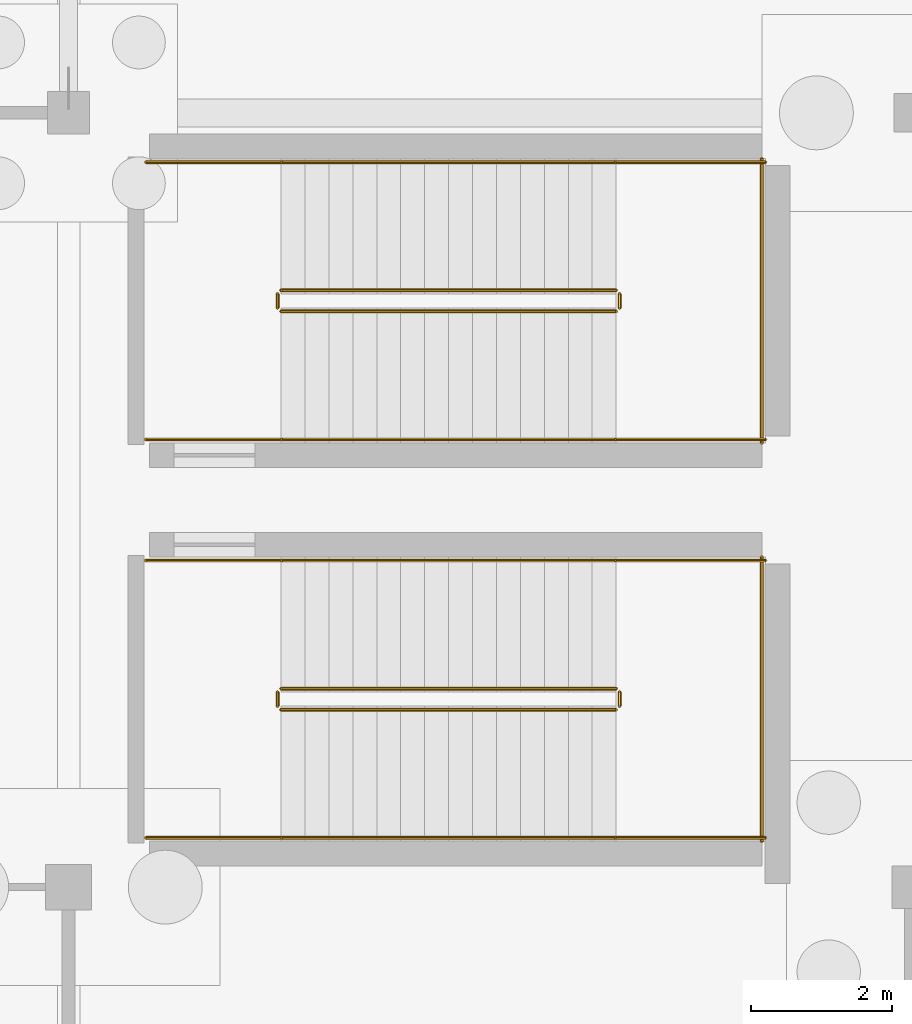
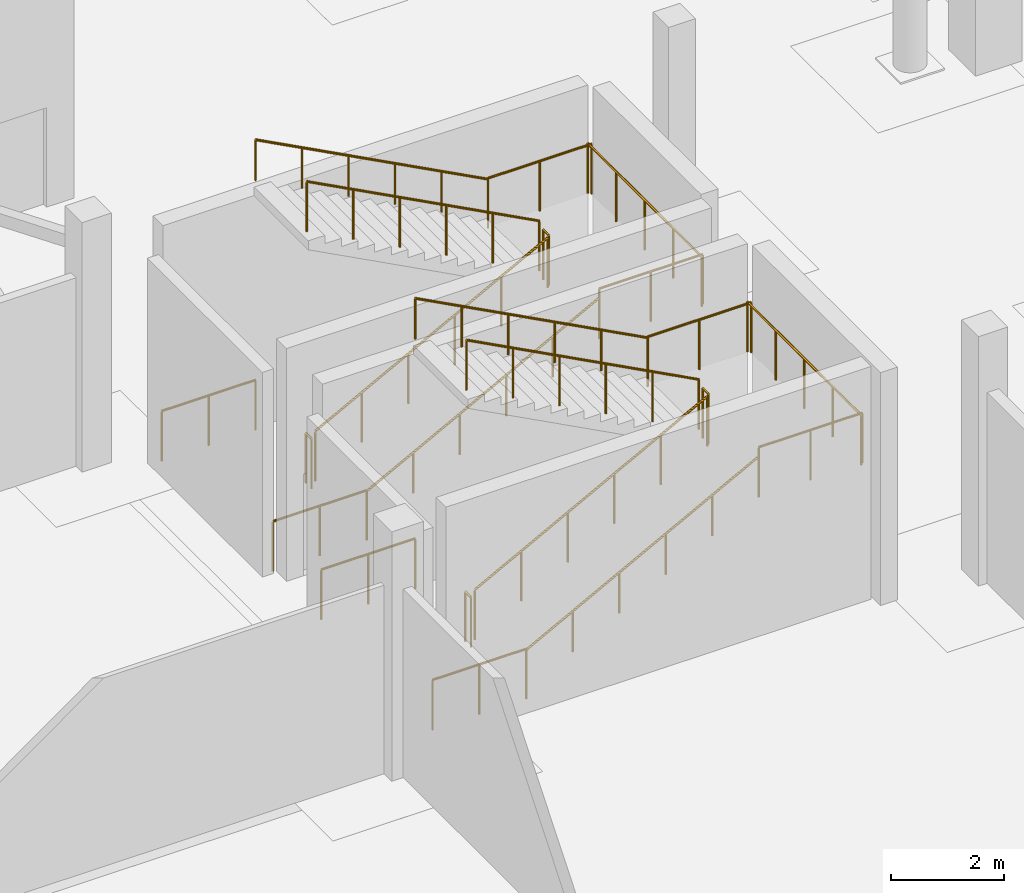
# One storey, part 50 of 60: 22 railings.
"""IFC4 building model written with IfcOpenShell, lengths in metres."""

from ifc_helpers import new_model, si_unit, direction, frame, origin, origin_2d, place, context, subcontext, project, spatial, circle, extrude, material, type_object, element, save


model = new_model("IFC4")

# Units and contexts
model_context = context("Model", 3, precision=1e-05, world=origin(), true_north=direction((0.0, 1.0)))
body_context = subcontext(model_context, "Body", "Model", "MODEL_VIEW")
ifc_project = project(units=[si_unit("LENGTHUNIT", "METRE"), si_unit("AREAUNIT", "SQUARE_METRE"), si_unit("VOLUMEUNIT", "CUBIC_METRE"), si_unit("PLANEANGLEUNIT", "RADIAN"), si_unit("MASSUNIT", "GRAM", prefix="KILO")], contexts=[model_context])

# Site, building, storey
site_placement = place(None, origin())
site = spatial("IfcSite", under=ifc_project, at=site_placement, CompositionType="ELEMENT")
building_placement = place(site_placement, origin())
building = spatial("IfcBuilding", under=site, at=building_placement, Name="Luwafu Chhajja Arena", CompositionType="ELEMENT")
storey_placement = place(building_placement, frame((0.0, 0.0, -5.39990234375)))
storey = spatial("IfcBuildingStorey", under=building, at=storey_placement, Name="B1", CompositionType="ELEMENT", Elevation=-5.39990234375)

# Railings
ifc_material_1 = material(Name="Stainless steel handrail", Category="steel")
railing_type_1 = type_object("IfcRailingType", Name="Stair Pitch Wall Handrail 920", PredefinedType="HANDRAIL", material=ifc_material_1)
railing_1_placement = place(storey_placement, frame((37.02001953125, 44.699951171875, 0.179931640625)))
element("IfcRailing", 1, at=railing_1_placement, inside=storey, type_object=railing_type_1, Name="B1 ST-09 stair handrail 1", PredefinedType="HANDRAIL", context=body_context, shape_type="SweptSolid", body=[
    extrude(circle(Radius=0.02392578125, at=origin_2d()), frame((0.0, 0.0, 0.8759765625), z_axis=(0.883786813738, 0.0, 0.467889803119), x_axis=(0.0, 1.0, 0.0)), (0.0, 0.0, 1.0), 5.385986328125),
    extrude(circle(Radius=0.02099609375, at=origin_2d()), origin(), (0.0, 0.0, 1.0), 0.851806640625),
    extrude(circle(Radius=0.02099609375, at=origin_2d()), frame((0.951904296875, 0.0, 0.50390625)), (0.0, 0.0, 1.0), 0.851806640625),
    extrude(circle(Radius=0.02099609375, at=origin_2d()), frame((1.904052734375, 0.0, 1.008056640625)), (0.0, 0.0, 1.0), 0.851806640625),
    extrude(circle(Radius=0.02099609375, at=origin_2d()), frame((2.85595703125, 0.0, 1.511962890625)), (0.0, 0.0, 1.0), 0.851806640625),
    extrude(circle(Radius=0.02099609375, at=origin_2d()), frame((3.80810546875, 0.0, 2.01611328125)), (0.0, 0.0, 1.0), 0.851806640625),
    extrude(circle(Radius=0.02099609375, at=origin_2d()), frame((4.760009765625, 0.0, 2.52001953125)), (0.0, 0.0, 1.0), 0.851806640625),
])
railing_2_placement = place(storey_placement, frame((41.780029296875, 48.639892578125, 2.8798828125)))
element("IfcRailing", 2, at=railing_2_placement, inside=storey, type_object=railing_type_1, Name="B1 ST-09 stair handrail 2", PredefinedType="HANDRAIL", context=body_context, shape_type="SweptSolid", body=[
    extrude(circle(Radius=0.02392578125, at=origin_2d()), frame((0.0, 0.0, 0.8759765625), z_axis=(-0.883786813738, 0.0, 0.467889803119), x_axis=(0.0, -1.0, 0.0)), (0.0, 0.0, 1.0), 5.385986328125),
    extrude(circle(Radius=0.02099609375, at=origin_2d()), origin(), (0.0, 0.0, 1.0), 0.851806640625),
    extrude(circle(Radius=0.02099609375, at=origin_2d()), frame((-0.951904296875, 0.0, 0.50390625)), (0.0, 0.0, 1.0), 0.851806640625),
    extrude(circle(Radius=0.02099609375, at=origin_2d()), frame((-1.904052734375, 0.0, 1.008056640625)), (0.0, 0.0, 1.0), 0.851806640625),
    extrude(circle(Radius=0.02099609375, at=origin_2d()), frame((-2.85595703125, 0.0, 1.511962890625)), (0.0, 0.0, 1.0), 0.851806640625),
    extrude(circle(Radius=0.02099609375, at=origin_2d()), frame((-3.80810546875, 0.0, 2.01611328125)), (0.0, 0.0, 1.0), 0.851806640625),
    extrude(circle(Radius=0.02099609375, at=origin_2d()), frame((-4.760009765625, 0.0, 2.52001953125)), (0.0, 0.0, 1.0), 0.851806640625),
])
railing_3_placement = place(storey_placement, frame((37.02001953125, 50.360107421875, 0.179931640625)))
element("IfcRailing", 3, at=railing_3_placement, inside=storey, type_object=railing_type_1, Name="B1 ST-10 stair handrail 1", PredefinedType="HANDRAIL", context=body_context, shape_type="SweptSolid", body=[
    extrude(circle(Radius=0.02392578125, at=origin_2d()), frame((0.0, 0.0, 0.8759765625), z_axis=(0.883786813738, 0.0, 0.467889803119), x_axis=(0.0, 1.0, 0.0)), (0.0, 0.0, 1.0), 5.385986328125),
    extrude(circle(Radius=0.02099609375, at=origin_2d()), origin(), (0.0, 0.0, 1.0), 0.851806640625),
    extrude(circle(Radius=0.02099609375, at=origin_2d()), frame((0.951904296875, 0.0, 0.50390625)), (0.0, 0.0, 1.0), 0.851806640625),
    extrude(circle(Radius=0.02099609375, at=origin_2d()), frame((1.904052734375, 0.0, 1.008056640625)), (0.0, 0.0, 1.0), 0.851806640625),
    extrude(circle(Radius=0.02099609375, at=origin_2d()), frame((2.85595703125, 0.0, 1.511962890625)), (0.0, 0.0, 1.0), 0.851806640625),
    extrude(circle(Radius=0.02099609375, at=origin_2d()), frame((3.80810546875, 0.0, 2.01611328125)), (0.0, 0.0, 1.0), 0.851806640625),
    extrude(circle(Radius=0.02099609375, at=origin_2d()), frame((4.760009765625, 0.0, 2.52001953125)), (0.0, 0.0, 1.0), 0.851806640625),
])
railing_4_placement = place(storey_placement, frame((41.780029296875, 54.300048828125, 2.8798828125)))
element("IfcRailing", 4, at=railing_4_placement, inside=storey, type_object=railing_type_1, Name="B1 ST-10 stair handrail 2", PredefinedType="HANDRAIL", context=body_context, shape_type="SweptSolid", body=[
    extrude(circle(Radius=0.02392578125, at=origin_2d()), frame((0.0, 0.0, 0.8759765625), z_axis=(-0.883786813738, 0.0, 0.467889803119), x_axis=(0.0, -1.0, 0.0)), (0.0, 0.0, 1.0), 5.385986328125),
    extrude(circle(Radius=0.02099609375, at=origin_2d()), origin(), (0.0, 0.0, 1.0), 0.851806640625),
    extrude(circle(Radius=0.02099609375, at=origin_2d()), frame((-0.951904296875, 0.0, 0.50390625)), (0.0, 0.0, 1.0), 0.851806640625),
    extrude(circle(Radius=0.02099609375, at=origin_2d()), frame((-1.904052734375, 0.0, 1.008056640625)), (0.0, 0.0, 1.0), 0.851806640625),
    extrude(circle(Radius=0.02099609375, at=origin_2d()), frame((-2.85595703125, 0.0, 1.511962890625)), (0.0, 0.0, 1.0), 0.851806640625),
    extrude(circle(Radius=0.02099609375, at=origin_2d()), frame((-3.80810546875, 0.0, 2.01611328125)), (0.0, 0.0, 1.0), 0.851806640625),
    extrude(circle(Radius=0.02099609375, at=origin_2d()), frame((-4.760009765625, 0.0, 2.52001953125)), (0.0, 0.0, 1.0), 0.851806640625),
])
ifc_material_2 = material(Name="Stainless steel balustrade", Category="steel")
railing_type_2 = type_object("IfcRailingType", Name="Stair and Terrace Guard Balustrade 1100", PredefinedType="BALUSTRADE", material=ifc_material_2)
railing_5_placement = place(storey_placement, frame((37.02001953125, 46.52001953125, 0.179931640625)))
element("IfcRailing", 5, at=railing_5_placement, inside=storey, type_object=railing_type_2, Name="B1 ST-09 stair guard 1", PredefinedType="BALUSTRADE", context=body_context, shape_type="SweptSolid", body=[
    extrude(circle(Radius=0.02392578125, at=origin_2d()), frame((0.0, 0.0, 1.076171875), z_axis=(0.883786813738, 0.0, 0.467889803119), x_axis=(0.0, 1.0, 0.0)), (0.0, 0.0, 1.0), 5.385986328125),
    extrude(circle(Radius=0.02099609375, at=origin_2d()), origin(), (0.0, 0.0, 1.0), 1.052001953125),
    extrude(circle(Radius=0.02099609375, at=origin_2d()), frame((0.951904296875, 0.0, 0.50390625)), (0.0, 0.0, 1.0), 1.052001953125),
    extrude(circle(Radius=0.02099609375, at=origin_2d()), frame((1.904052734375, 0.0, 1.008056640625)), (0.0, 0.0, 1.0), 1.052001953125),
    extrude(circle(Radius=0.02099609375, at=origin_2d()), frame((2.85595703125, 0.0, 1.511962890625)), (0.0, 0.0, 1.0), 1.052001953125),
    extrude(circle(Radius=0.02099609375, at=origin_2d()), frame((3.80810546875, 0.0, 2.01611328125)), (0.0, 0.0, 1.0), 1.052001953125),
    extrude(circle(Radius=0.02099609375, at=origin_2d()), frame((4.760009765625, 0.0, 2.52001953125)), (0.0, 0.0, 1.0), 1.052001953125),
])
railing_6_placement = place(storey_placement, frame((41.830078125, 46.570068359375, 2.699951171875)))
element("IfcRailing", 6, at=railing_6_placement, inside=storey, type_object=railing_type_2, Name="B1 ST-09 stair guard 2", PredefinedType="BALUSTRADE", context=body_context, shape_type="SweptSolid", body=[
    extrude(circle(Radius=0.02392578125, at=origin_2d()), frame((0.0, 0.0, 1.076171875), z_axis=(0.0, 1.0, 0.0), x_axis=(-1.0, 0.0, 0.0)), (0.0, 0.0, 1.0), 0.199951171875),
    extrude(circle(Radius=0.02099609375, at=origin_2d()), origin(), (0.0, 0.0, 1.0), 1.052001953125),
    extrude(circle(Radius=0.02099609375, at=origin_2d()), frame((0.0, 0.199951171875, 0.0)), (0.0, 0.0, 1.0), 1.052001953125),
])
for number, where, name in (
    (7, (41.780029296875, 44.699951171875, 2.699951171875), "B1 ST-09 stair guard 3"),
    (8, (41.780029296875, 48.639892578125, 2.699951171875), "B1 ST-09 stair guard 4"),
):
    element("IfcRailing", number, at=place(storey_placement, frame(where)), inside=storey, type_object=railing_type_2, Name=name, PredefinedType="BALUSTRADE", context=body_context, shape_type="SweptSolid", body=[
        extrude(circle(Radius=0.02392578125, at=origin_2d()), frame((0.0, 0.0, 1.076171875), z_axis=(1.0, 0.0, 0.0), x_axis=(0.0, 1.0, 0.0)), (0.0, 0.0, 1.0), 2.119873046875),
        extrude(circle(Radius=0.02099609375, at=origin_2d()), origin(), (0.0, 0.0, 1.0), 1.052001953125),
        extrude(circle(Radius=0.02099609375, at=origin_2d()), frame((1.06005859375, 0.0, 0.0)), (0.0, 0.0, 1.0), 1.052001953125),
        extrude(circle(Radius=0.02099609375, at=origin_2d()), frame((2.119873046875, 0.0, 0.0)), (0.0, 0.0, 1.0), 1.052001953125),
    ])
railing_7_placement = place(storey_placement, frame((43.85009765625, 44.64990234375, 2.699951171875)))
element("IfcRailing", 9, at=railing_7_placement, inside=storey, type_object=railing_type_2, Name="B1 ST-09 stair guard 5", PredefinedType="BALUSTRADE", context=body_context, shape_type="SweptSolid", body=[
    extrude(circle(Radius=0.02392578125, at=origin_2d()), frame((0.0, 0.0, 1.076171875), z_axis=(0.0, 1.0, 0.0), x_axis=(-1.0, 0.0, 0.0)), (0.0, 0.0, 1.0), 4.0400390625),
    extrude(circle(Radius=0.02099609375, at=origin_2d()), origin(), (0.0, 0.0, 1.0), 1.052001953125),
    extrude(circle(Radius=0.02099609375, at=origin_2d()), frame((0.0, 1.010009765625, 0.0)), (0.0, 0.0, 1.0), 1.052001953125),
    extrude(circle(Radius=0.02099609375, at=origin_2d()), frame((0.0, 2.02001953125, 0.0)), (0.0, 0.0, 1.0), 1.052001953125),
    extrude(circle(Radius=0.02099609375, at=origin_2d()), frame((0.0, 3.030029296875, 0.0)), (0.0, 0.0, 1.0), 1.052001953125),
    extrude(circle(Radius=0.02099609375, at=origin_2d()), frame((0.0, 4.0400390625, 0.0)), (0.0, 0.0, 1.0), 1.052001953125),
])
railing_8_placement = place(storey_placement, frame((41.780029296875, 46.820068359375, 2.8798828125)))
element("IfcRailing", 10, at=railing_8_placement, inside=storey, type_object=railing_type_2, Name="B1 ST-09 stair guard 6", PredefinedType="BALUSTRADE", context=body_context, shape_type="SweptSolid", body=[
    extrude(circle(Radius=0.02392578125, at=origin_2d()), frame((0.0, 0.0, 1.076171875), z_axis=(-0.883786813738, 0.0, 0.467889803119), x_axis=(0.0, -1.0, 0.0)), (0.0, 0.0, 1.0), 5.385986328125),
    extrude(circle(Radius=0.02099609375, at=origin_2d()), origin(), (0.0, 0.0, 1.0), 1.052001953125),
    extrude(circle(Radius=0.02099609375, at=origin_2d()), frame((-0.951904296875, 0.0, 0.50390625)), (0.0, 0.0, 1.0), 1.052001953125),
    extrude(circle(Radius=0.02099609375, at=origin_2d()), frame((-1.904052734375, 0.0, 1.008056640625)), (0.0, 0.0, 1.0), 1.052001953125),
    extrude(circle(Radius=0.02099609375, at=origin_2d()), frame((-2.85595703125, 0.0, 1.511962890625)), (0.0, 0.0, 1.0), 1.052001953125),
    extrude(circle(Radius=0.02099609375, at=origin_2d()), frame((-3.80810546875, 0.0, 2.01611328125)), (0.0, 0.0, 1.0), 1.052001953125),
    extrude(circle(Radius=0.02099609375, at=origin_2d()), frame((-4.760009765625, 0.0, 2.52001953125)), (0.0, 0.0, 1.0), 1.052001953125),
])
railing_9_placement = place(storey_placement, frame((36.969970703125, 46.570068359375, 0.0)))
element("IfcRailing", 11, at=railing_9_placement, inside=storey, type_object=railing_type_2, Name="B1 ST-09 stair guard 7", PredefinedType="BALUSTRADE", context=body_context, shape_type="SweptSolid", body=[
    extrude(circle(Radius=0.02392578125, at=origin_2d()), frame((0.0, 0.0, 1.076171875), z_axis=(0.0, 1.0, 0.0), x_axis=(-1.0, 0.0, 0.0)), (0.0, 0.0, 1.0), 0.199951171875),
    extrude(circle(Radius=0.02099609375, at=origin_2d()), origin(), (0.0, 0.0, 1.0), 1.052001953125),
    extrude(circle(Radius=0.02099609375, at=origin_2d()), frame((0.0, 0.199951171875, 0.0)), (0.0, 0.0, 1.0), 1.052001953125),
])
for number, where, name in (
    (12, (35.10009765625, 44.699951171875, 0.0), "B1 ST-09 stair guard 8"),
    (13, (35.10009765625, 48.639892578125, 0.0), "B1 ST-09 stair guard 9"),
):
    element("IfcRailing", number, at=place(storey_placement, frame(where)), inside=storey, type_object=railing_type_2, Name=name, PredefinedType="BALUSTRADE", context=body_context, shape_type="SweptSolid", body=[
        extrude(circle(Radius=0.02392578125, at=origin_2d()), frame((0.0, 0.0, 1.076171875), z_axis=(1.0, 0.0, 0.0), x_axis=(0.0, 1.0, 0.0)), (0.0, 0.0, 1.0), 1.919921875),
        extrude(circle(Radius=0.02099609375, at=origin_2d()), origin(), (0.0, 0.0, 1.0), 1.052001953125),
        extrude(circle(Radius=0.02099609375, at=origin_2d()), frame((0.9599609375, 0.0, 0.0)), (0.0, 0.0, 1.0), 1.052001953125),
        extrude(circle(Radius=0.02099609375, at=origin_2d()), frame((1.919921875, 0.0, 0.0)), (0.0, 0.0, 1.0), 1.052001953125),
    ])
railing_10_placement = place(storey_placement, frame((37.02001953125, 52.179931640625, 0.179931640625)))
element("IfcRailing", 14, at=railing_10_placement, inside=storey, type_object=railing_type_2, Name="B1 ST-10 stair guard 1", PredefinedType="BALUSTRADE", context=body_context, shape_type="SweptSolid", body=[
    extrude(circle(Radius=0.02392578125, at=origin_2d()), frame((0.0, 0.0, 1.076171875), z_axis=(0.883786813738, 0.0, 0.467889803119), x_axis=(0.0, 1.0, 0.0)), (0.0, 0.0, 1.0), 5.385986328125),
    extrude(circle(Radius=0.02099609375, at=origin_2d()), origin(), (0.0, 0.0, 1.0), 1.052001953125),
    extrude(circle(Radius=0.02099609375, at=origin_2d()), frame((0.951904296875, 0.0, 0.50390625)), (0.0, 0.0, 1.0), 1.052001953125),
    extrude(circle(Radius=0.02099609375, at=origin_2d()), frame((1.904052734375, 0.0, 1.008056640625)), (0.0, 0.0, 1.0), 1.052001953125),
    extrude(circle(Radius=0.02099609375, at=origin_2d()), frame((2.85595703125, 0.0, 1.511962890625)), (0.0, 0.0, 1.0), 1.052001953125),
    extrude(circle(Radius=0.02099609375, at=origin_2d()), frame((3.80810546875, 0.0, 2.01611328125)), (0.0, 0.0, 1.0), 1.052001953125),
    extrude(circle(Radius=0.02099609375, at=origin_2d()), frame((4.760009765625, 0.0, 2.52001953125)), (0.0, 0.0, 1.0), 1.052001953125),
])
railing_11_placement = place(storey_placement, frame((41.830078125, 52.22998046875, 2.699951171875)))
element("IfcRailing", 15, at=railing_11_placement, inside=storey, type_object=railing_type_2, Name="B1 ST-10 stair guard 2", PredefinedType="BALUSTRADE", context=body_context, shape_type="SweptSolid", body=[
    extrude(circle(Radius=0.02392578125, at=origin_2d()), frame((0.0, 0.0, 1.076171875), z_axis=(0.0, 1.0, 0.0), x_axis=(-1.0, 0.0, 0.0)), (0.0, 0.0, 1.0), 0.199951171875),
    extrude(circle(Radius=0.02099609375, at=origin_2d()), origin(), (0.0, 0.0, 1.0), 1.052001953125),
    extrude(circle(Radius=0.02099609375, at=origin_2d()), frame((0.0, 0.199951171875, 0.0)), (0.0, 0.0, 1.0), 1.052001953125),
])
for number, where, name in (
    (16, (41.780029296875, 50.360107421875, 2.699951171875), "B1 ST-10 stair guard 3"),
    (17, (41.780029296875, 54.300048828125, 2.699951171875), "B1 ST-10 stair guard 4"),
):
    element("IfcRailing", number, at=place(storey_placement, frame(where)), inside=storey, type_object=railing_type_2, Name=name, PredefinedType="BALUSTRADE", context=body_context, shape_type="SweptSolid", body=[
        extrude(circle(Radius=0.02392578125, at=origin_2d()), frame((0.0, 0.0, 1.076171875), z_axis=(1.0, 0.0, 0.0), x_axis=(0.0, 1.0, 0.0)), (0.0, 0.0, 1.0), 2.119873046875),
        extrude(circle(Radius=0.02099609375, at=origin_2d()), origin(), (0.0, 0.0, 1.0), 1.052001953125),
        extrude(circle(Radius=0.02099609375, at=origin_2d()), frame((1.06005859375, 0.0, 0.0)), (0.0, 0.0, 1.0), 1.052001953125),
        extrude(circle(Radius=0.02099609375, at=origin_2d()), frame((2.119873046875, 0.0, 0.0)), (0.0, 0.0, 1.0), 1.052001953125),
    ])
railing_12_placement = place(storey_placement, frame((43.85009765625, 50.31005859375, 2.699951171875)))
element("IfcRailing", 18, at=railing_12_placement, inside=storey, type_object=railing_type_2, Name="B1 ST-10 stair guard 5", PredefinedType="BALUSTRADE", context=body_context, shape_type="SweptSolid", body=[
    extrude(circle(Radius=0.02392578125, at=origin_2d()), frame((0.0, 0.0, 1.076171875), z_axis=(0.0, 1.0, 0.0), x_axis=(-1.0, 0.0, 0.0)), (0.0, 0.0, 1.0), 4.0400390625),
    extrude(circle(Radius=0.02099609375, at=origin_2d()), origin(), (0.0, 0.0, 1.0), 1.052001953125),
    extrude(circle(Radius=0.02099609375, at=origin_2d()), frame((0.0, 1.010009765625, 0.0)), (0.0, 0.0, 1.0), 1.052001953125),
    extrude(circle(Radius=0.02099609375, at=origin_2d()), frame((0.0, 2.02001953125, 0.0)), (0.0, 0.0, 1.0), 1.052001953125),
    extrude(circle(Radius=0.02099609375, at=origin_2d()), frame((0.0, 3.030029296875, 0.0)), (0.0, 0.0, 1.0), 1.052001953125),
    extrude(circle(Radius=0.02099609375, at=origin_2d()), frame((0.0, 4.0400390625, 0.0)), (0.0, 0.0, 1.0), 1.052001953125),
])
railing_13_placement = place(storey_placement, frame((41.780029296875, 52.47998046875, 2.8798828125)))
element("IfcRailing", 19, at=railing_13_placement, inside=storey, type_object=railing_type_2, Name="B1 ST-10 stair guard 6", PredefinedType="BALUSTRADE", context=body_context, shape_type="SweptSolid", body=[
    extrude(circle(Radius=0.02392578125, at=origin_2d()), frame((0.0, 0.0, 1.076171875), z_axis=(-0.883786813738, 0.0, 0.467889803119), x_axis=(0.0, -1.0, 0.0)), (0.0, 0.0, 1.0), 5.385986328125),
    extrude(circle(Radius=0.02099609375, at=origin_2d()), origin(), (0.0, 0.0, 1.0), 1.052001953125),
    extrude(circle(Radius=0.02099609375, at=origin_2d()), frame((-0.951904296875, 0.0, 0.50390625)), (0.0, 0.0, 1.0), 1.052001953125),
    extrude(circle(Radius=0.02099609375, at=origin_2d()), frame((-1.904052734375, 0.0, 1.008056640625)), (0.0, 0.0, 1.0), 1.052001953125),
    extrude(circle(Radius=0.02099609375, at=origin_2d()), frame((-2.85595703125, 0.0, 1.511962890625)), (0.0, 0.0, 1.0), 1.052001953125),
    extrude(circle(Radius=0.02099609375, at=origin_2d()), frame((-3.80810546875, 0.0, 2.01611328125)), (0.0, 0.0, 1.0), 1.052001953125),
    extrude(circle(Radius=0.02099609375, at=origin_2d()), frame((-4.760009765625, 0.0, 2.52001953125)), (0.0, 0.0, 1.0), 1.052001953125),
])
railing_14_placement = place(storey_placement, frame((36.969970703125, 52.22998046875, 0.0)))
element("IfcRailing", 20, at=railing_14_placement, inside=storey, type_object=railing_type_2, Name="B1 ST-10 stair guard 7", PredefinedType="BALUSTRADE", context=body_context, shape_type="SweptSolid", body=[
    extrude(circle(Radius=0.02392578125, at=origin_2d()), frame((0.0, 0.0, 1.076171875), z_axis=(0.0, 1.0, 0.0), x_axis=(-1.0, 0.0, 0.0)), (0.0, 0.0, 1.0), 0.199951171875),
    extrude(circle(Radius=0.02099609375, at=origin_2d()), origin(), (0.0, 0.0, 1.0), 1.052001953125),
    extrude(circle(Radius=0.02099609375, at=origin_2d()), frame((0.0, 0.199951171875, 0.0)), (0.0, 0.0, 1.0), 1.052001953125),
])
for number, where, name in (
    (21, (35.10009765625, 50.360107421875, 0.0), "B1 ST-10 stair guard 8"),
    (22, (35.10009765625, 54.300048828125, 0.0), "B1 ST-10 stair guard 9"),
):
    element("IfcRailing", number, at=place(storey_placement, frame(where)), inside=storey, type_object=railing_type_2, Name=name, PredefinedType="BALUSTRADE", context=body_context, shape_type="SweptSolid", body=[
        extrude(circle(Radius=0.02392578125, at=origin_2d()), frame((0.0, 0.0, 1.076171875), z_axis=(1.0, 0.0, 0.0), x_axis=(0.0, 1.0, 0.0)), (0.0, 0.0, 1.0), 1.919921875),
        extrude(circle(Radius=0.02099609375, at=origin_2d()), origin(), (0.0, 0.0, 1.0), 1.052001953125),
        extrude(circle(Radius=0.02099609375, at=origin_2d()), frame((0.9599609375, 0.0, 0.0)), (0.0, 0.0, 1.0), 1.052001953125),
        extrude(circle(Radius=0.02099609375, at=origin_2d()), frame((1.919921875, 0.0, 0.0)), (0.0, 0.0, 1.0), 1.052001953125),
    ])

save(model, "model.ifc")
